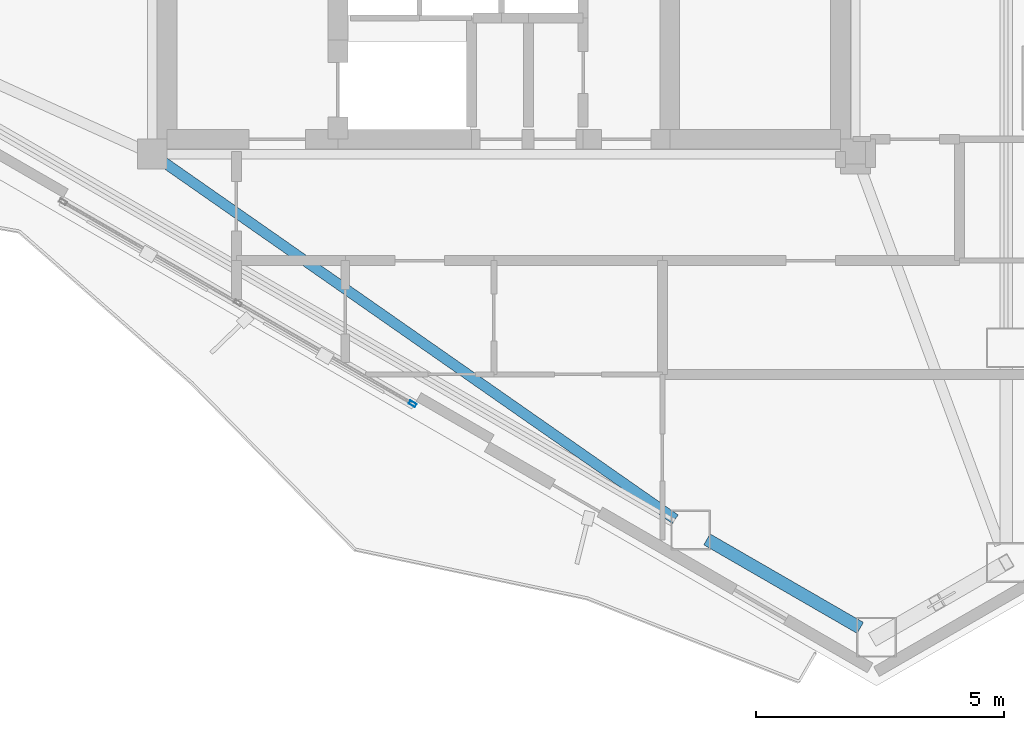
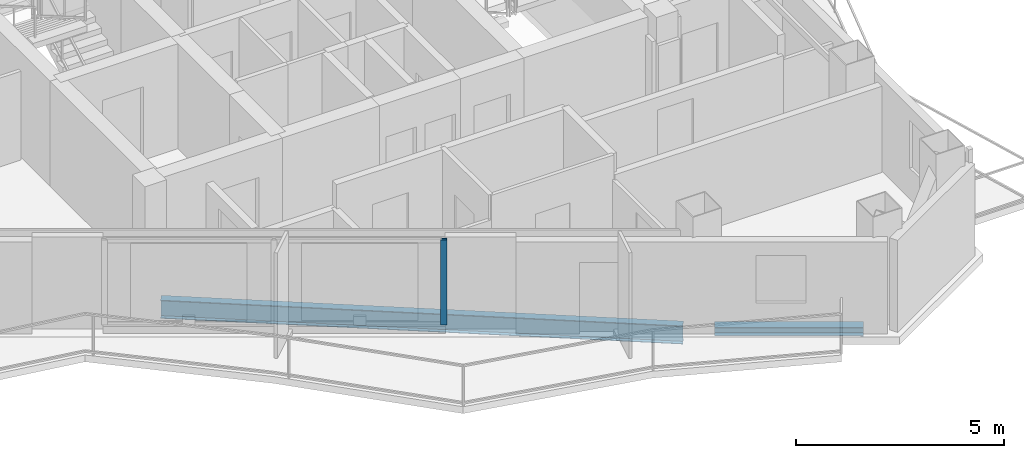
# One storey, part 5 of 18: 2 beams, 1 member, 1 element without a shape of its own.
"""IFC4 building model written with IfcOpenShell, lengths in metres."""

from ifc_helpers import new_model, si_unit, direction, frame, origin, origin_2d, place, context, subcontext, project, spatial, hollow_rectangle, i_section, extrude, material, layer, layer_set, material_profile, profile_set, type_object, element, aggregate, save


model = new_model("IFC4")

# Units and contexts
model_context = context("Model", 3, precision=1e-05, world=origin(), true_north=direction((0.0, 1.0)))
body_context = subcontext(model_context, "Body", "Model", "MODEL_VIEW")
ifc_project = project(units=[si_unit("LENGTHUNIT", "METRE"), si_unit("AREAUNIT", "SQUARE_METRE"), si_unit("VOLUMEUNIT", "CUBIC_METRE"), si_unit("PLANEANGLEUNIT", "RADIAN"), si_unit("MASSUNIT", "GRAM", prefix="KILO")], contexts=[model_context])

# Site, building, storey
site_placement = place(None, origin())
site = spatial("IfcSite", under=ifc_project, at=site_placement, CompositionType="ELEMENT")
building_placement = place(site_placement, origin())
building = spatial("IfcBuilding", under=site, at=building_placement, Name="Mersakhor Tower and Convention Hall", CompositionType="ELEMENT")
storey_placement = place(building_placement, frame((0.0, 0.0, 229.800048828125)))
storey = spatial("IfcBuildingStorey", under=building, at=storey_placement, Name="L64", CompositionType="ELEMENT", Elevation=229.800048828125)

# Beams
ifc_material_1 = material(Name="Steel S355", Category="steel")
ifc_material_profile_1 = material_profile(ifc_material_1, i_section(OverallWidth=0.2099609375, OverallDepth=0.53662109375, WebThickness=0.0107421875, FlangeThickness=0.017333984375, at=origin_2d()), Name="UB 533x210x101")
ifc_profile_set_1 = profile_set([ifc_material_profile_1], Name="Steel S355")
beam_type_1 = type_object("IfcBeamType", Name="BM-FB-533", PredefinedType="BEAM", material=ifc_profile_set_1)
beam_1_placement = place(storey_placement, frame((22.129638671875, 20.289794921875, -0.48828125), z_axis=(0.819954136469, -0.572429221903, 0.0), x_axis=(0.572429221903, 0.819954136469, 0.0)))
element("IfcBeam", 1, at=beam_1_placement, inside=storey, type_object=beam_type_1, Name="L64 Primary Floor Girder FG-5", PredefinedType="BEAM", context=body_context, shape_type="SweptSolid", body=[
    extrude(i_section(OverallWidth=0.2099609375, OverallDepth=0.53662109375, WebThickness=0.0107421875, FlangeThickness=0.017333984375, at=origin_2d()), origin(), (0.0, 0.0, 1.0), 12.598388671875),
])
ifc_material_2 = material(Name="Steel S355", Category="steel")
ifc_material_profile_2 = material_profile(ifc_material_2, i_section(OverallWidth=0.25634765625, OverallDepth=0.26025390625, WebThickness=0.01025390625, FlangeThickness=0.017333984375, at=origin_2d()), Name="UC 254x254x89")
ifc_profile_set_2 = profile_set([ifc_material_profile_2], Name="Steel S355")
beam_type_2 = type_object("IfcBeamType", Name="BM-SPD-UC254", PredefinedType="SPANDREL", material=ifc_profile_set_2)
beam_2_placement = place(storey_placement, frame((36.196044921875, 10.88330078125, -0.35009765625), z_axis=(-0.866002454009, 0.500039748071, 0.0), x_axis=(-0.500039748071, -0.866002454009, 0.0)))
element("IfcBeam", 2, at=beam_2_placement, inside=storey, type_object=beam_type_2, Name="L64 Perimeter Spandrel Beam SPB-09", PredefinedType="SPANDREL", context=body_context, shape_type="SweptSolid", body=[
    extrude(i_section(OverallWidth=0.25634765625, OverallDepth=0.26025390625, WebThickness=0.01025390625, FlangeThickness=0.017333984375, at=origin_2d()), origin(), (0.0, 0.0, 1.0), 3.574462890625),
])

# Curtain wall, member
ifc_material_3 = material(Name="Dark solar low-E aluminium curtain wall", Category="aluminium")
ifc_layer = layer(ifc_material_3, 0.179931640625)
ifc_layer_set = layer_set([ifc_layer], Name="Dark solar low-E aluminium curtain wall")
curtain_wall_type = type_object("IfcCurtainWallType", Name="CW-SYS-03", PredefinedType="USERDEFINED", material=ifc_layer_set)
curtain_wall_placement = place(storey_placement, origin())
curtain_wall = element("IfcCurtainWall", 3, at=curtain_wall_placement, inside=storey, type_object=curtain_wall_type, Name="L64 Dark-Glass Curtain Wall F3-B2", ObjectType="CURTAIN WALL", PredefinedType="USERDEFINED")
ifc_material_4 = material(Name="Anodised aluminium EN AW-6063 T6", Category="aluminium")
ifc_material_profile_3 = material_profile(ifc_material_4, hollow_rectangle(XDim=0.074951171875, YDim=0.14990234375, WallThickness=0.00634765625, at=origin_2d()), Name="RHS 150x75x6.3")
ifc_profile_set_3 = profile_set([ifc_material_profile_3], Name="Anodised aluminium EN AW-6063 T6")
member_type = type_object("IfcMemberType", Name="CWM-150x75", PredefinedType="MULLION", material=ifc_profile_set_3)
member_placement = place(storey_placement, frame((27.158935546875, 15.408203125, 0.199951171875), z_axis=(0.0, 0.0, 1.0), x_axis=(-0.500004411169, -0.86602285698, 0.0)))
member = element("IfcMember", 4, at=member_placement, type_object=member_type, Name="CW-03 mullion 1", PredefinedType="MULLION", context=body_context, shape_type="SweptSolid", body=[
    extrude(hollow_rectangle(XDim=0.074951171875, YDim=0.14990234375, WallThickness=0.00634765625, at=origin_2d()), origin(), (0.0, 0.0, 1.0), 2.5),
])
aggregate(curtain_wall, [member])

save(model, "model.ifc")
